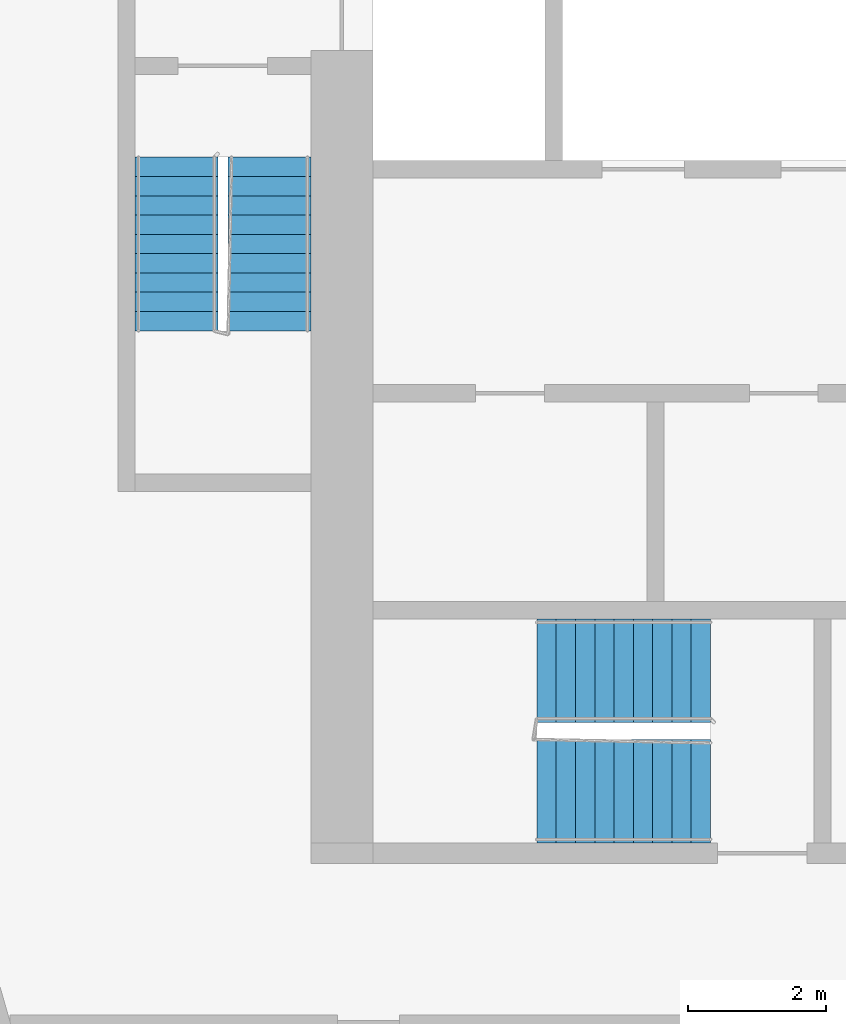
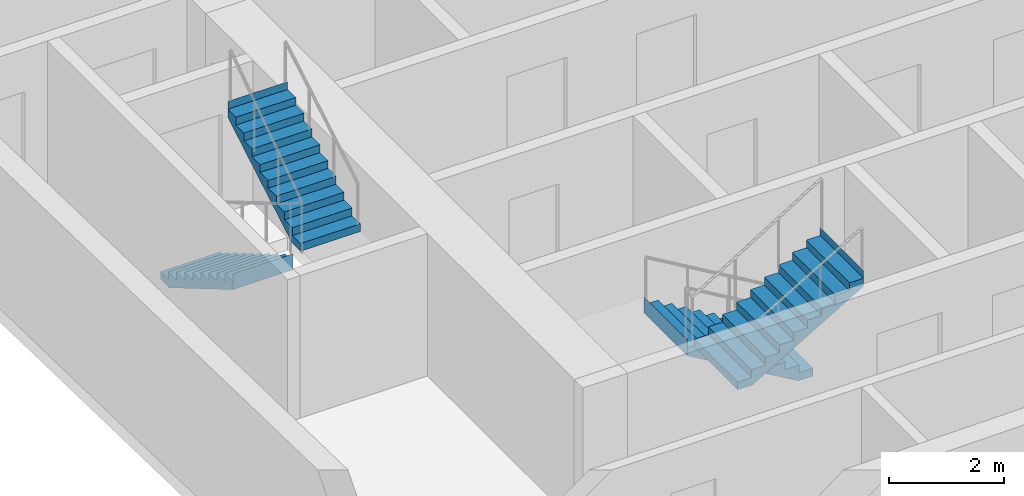
# One storey, part 8 of 11: 4 stair flights, 2 elements without a shape of their own.
"""IFC4 building model written with IfcOpenShell, lengths in metres."""

from ifc_helpers import new_model, si_unit, direction, frame, origin, place, context, subcontext, project, spatial, faceted_brep, material, type_object, element, aggregate, save


model = new_model("IFC4")

# Units and contexts
model_context = context("Model", 3, precision=1e-05, world=origin(), true_north=direction((0.0, 1.0)))
body_context = subcontext(model_context, "Body", "Model", "MODEL_VIEW")
ifc_project = project(units=[si_unit("LENGTHUNIT", "METRE"), si_unit("AREAUNIT", "SQUARE_METRE"), si_unit("VOLUMEUNIT", "CUBIC_METRE"), si_unit("PLANEANGLEUNIT", "RADIAN"), si_unit("MASSUNIT", "GRAM", prefix="KILO")], contexts=[model_context])

# Site, building, storey
site_placement = place(None, origin())
site = spatial("IfcSite", under=ifc_project, at=site_placement, CompositionType="ELEMENT")
building_placement = place(site_placement, origin())
building = spatial("IfcBuilding", under=site, at=building_placement, Name="Kajstack Hotel Tower", CompositionType="ELEMENT")
storey_placement = place(building_placement, frame((0.0, 0.0, 224.300048828125)))
storey = spatial("IfcBuildingStorey", under=building, at=storey_placement, Name="L54", CompositionType="ELEMENT", Elevation=224.300048828125)

# Stair, stair flights
ifc_material = material(Name="Concrete C40/50", Category="concrete")
stair_type_1 = type_object("IfcStairType", Name="Exit stair 1200", PredefinedType="HALF_TURN_STAIR", material=ifc_material)
stair_1_placement = place(storey_placement, origin())
stair_1 = element("IfcStair", 1, at=stair_1_placement, inside=storey, type_object=stair_type_1, Name="L54 stair W1", PredefinedType="HALF_TURN_STAIR")
stair_flight_type_1 = type_object("IfcStairFlightType", Name="Exit stair flight 1200", PredefinedType="STRAIGHT", material=ifc_material)
stair_flight_1_placement = place(storey_placement, frame((-33.449951171875, -5.25, 0.0), z_axis=(0.0, 0.0, 1.0), x_axis=(0.0, -1.0, 0.0)))
stair_flight_1 = element("IfcStairFlight", 2, at=stair_flight_1_placement, type_object=stair_flight_type_1, Name="W1 flight 1", NumberOfRisers=10, NumberOfTreads=9, PredefinedType="STRAIGHT", RiserHeight=0.165, TreadLength=0.28, context=body_context, shape_type="Brep", body=[
    faceted_brep([(0.295654296875, -0.60009765625, 0.0), (2.5205078125, -0.60009765625, 1.31103515625), (2.5205078125, -0.60009765625, 1.64990234375), (2.52001953125, -0.60009765625, 1.64990234375), (2.52001953125, -0.60009765625, 1.485107421875), (2.239990234375, -0.60009765625, 1.485107421875), (2.239990234375, -0.60009765625, 1.320068359375), (1.9599609375, -0.60009765625, 1.320068359375), (1.9599609375, -0.60009765625, 1.155029296875), (1.679931640625, -0.60009765625, 1.155029296875), (1.679931640625, -0.60009765625, 0.989990234375), (1.39990234375, -0.60009765625, 0.989990234375), (1.39990234375, -0.60009765625, 0.824951171875), (1.1201171875, -0.60009765625, 0.824951171875), (1.1201171875, -0.60009765625, 0.659912109375), (0.840087890625, -0.60009765625, 0.659912109375), (0.840087890625, -0.60009765625, 0.4951171875), (0.56005859375, -0.60009765625, 0.4951171875), (0.56005859375, -0.60009765625, 0.330078125), (0.280029296875, -0.60009765625, 0.330078125), (0.280029296875, -0.60009765625, 0.1650390625), (-0.00048828125, -0.60009765625, 0.1650390625), (-0.00048828125, -0.60009765625, 0.0), (-0.00048828125, 0.60009765625, 0.0), (-0.00048828125, 0.60009765625, 0.1650390625), (0.280029296875, 0.60009765625, 0.1650390625), (0.280029296875, 0.60009765625, 0.330078125), (0.56005859375, 0.60009765625, 0.330078125), (0.56005859375, 0.60009765625, 0.4951171875), (0.840087890625, 0.60009765625, 0.4951171875), (0.840087890625, 0.60009765625, 0.659912109375), (1.1201171875, 0.60009765625, 0.659912109375), (1.1201171875, 0.60009765625, 0.824951171875), (1.39990234375, 0.60009765625, 0.824951171875), (1.39990234375, 0.60009765625, 0.989990234375), (1.679931640625, 0.60009765625, 0.989990234375), (1.679931640625, 0.60009765625, 1.155029296875), (1.9599609375, 0.60009765625, 1.155029296875), (1.9599609375, 0.60009765625, 1.320068359375), (2.239990234375, 0.60009765625, 1.320068359375), (2.239990234375, 0.60009765625, 1.485107421875), (2.52001953125, 0.60009765625, 1.485107421875), (2.52001953125, 0.60009765625, 1.64990234375), (2.5205078125, 0.60009765625, 1.64990234375), (2.5205078125, 0.60009765625, 1.31103515625), (0.295654296875, 0.60009765625, 0.0), (-0.00048828125, -0.300048828125, 0.1650390625), (-0.00048828125, 0.0, 0.1650390625), (-0.00048828125, 0.300048828125, 0.1650390625), (-0.00048828125, 0.300048828125, 0.0), (-0.00048828125, 0.0, 0.0), (-0.00048828125, -0.300048828125, 0.0), (0.280029296875, -0.300048828125, 0.1650390625), (0.280029296875, 0.0, 0.1650390625), (0.280029296875, 0.300048828125, 0.1650390625), (0.280029296875, -0.300048828125, 0.330078125), (0.280029296875, 0.0, 0.330078125), (0.280029296875, 0.300048828125, 0.330078125), (0.56005859375, -0.300048828125, 0.330078125), (0.56005859375, 0.0, 0.330078125), (0.56005859375, 0.300048828125, 0.330078125), (0.56005859375, -0.300048828125, 0.4951171875), (0.56005859375, 0.0, 0.4951171875), (0.56005859375, 0.300048828125, 0.4951171875), (0.840087890625, -0.300048828125, 0.4951171875), (0.840087890625, 0.0, 0.4951171875), (0.840087890625, 0.300048828125, 0.4951171875), (0.840087890625, -0.300048828125, 0.659912109375), (0.840087890625, 0.0, 0.659912109375), (0.840087890625, 0.300048828125, 0.659912109375), (1.1201171875, -0.300048828125, 0.659912109375), (1.1201171875, 0.0, 0.659912109375), (1.1201171875, 0.300048828125, 0.659912109375), (1.1201171875, -0.300048828125, 0.824951171875), (1.1201171875, 0.0, 0.824951171875), (1.1201171875, 0.300048828125, 0.824951171875), (1.39990234375, -0.300048828125, 0.824951171875), (1.39990234375, 0.0, 0.824951171875), (1.39990234375, 0.300048828125, 0.824951171875), (1.39990234375, -0.300048828125, 0.989990234375), (1.39990234375, 0.0, 0.989990234375), (1.39990234375, 0.300048828125, 0.989990234375), (1.679931640625, -0.300048828125, 0.989990234375), (1.679931640625, 0.0, 0.989990234375), (1.679931640625, 0.300048828125, 0.989990234375), (1.679931640625, -0.300048828125, 1.155029296875), (1.679931640625, 0.0, 1.155029296875), (1.679931640625, 0.300048828125, 1.155029296875), (1.9599609375, -0.300048828125, 1.155029296875), (1.9599609375, 0.0, 1.155029296875), (1.9599609375, 0.300048828125, 1.155029296875), (1.9599609375, -0.300048828125, 1.320068359375), (1.9599609375, 0.0, 1.320068359375), (1.9599609375, 0.300048828125, 1.320068359375), (2.239990234375, -0.300048828125, 1.320068359375), (2.239990234375, 0.0, 1.320068359375), (2.239990234375, 0.300048828125, 1.320068359375), (2.239990234375, -0.300048828125, 1.485107421875), (2.239990234375, 0.0, 1.485107421875), (2.239990234375, 0.300048828125, 1.485107421875), (2.52001953125, -0.300048828125, 1.485107421875), (2.52001953125, 0.0, 1.485107421875), (2.52001953125, 0.300048828125, 1.485107421875), (2.52001953125, -0.300048828125, 1.64990234375), (2.52001953125, 0.0, 1.64990234375), (2.52001953125, 0.300048828125, 1.64990234375), (2.5205078125, -0.300048828125, 1.64990234375), (2.5205078125, 0.0, 1.64990234375), (2.5205078125, 0.300048828125, 1.64990234375), (2.5205078125, -0.300048828125, 1.31103515625), (2.5205078125, 0.0, 1.31103515625), (2.5205078125, 0.300048828125, 1.31103515625), (0.295654296875, -0.300048828125, 0.0), (0.295654296875, 0.0, 0.0), (0.295654296875, 0.300048828125, 0.0)], [[[0, 1, 2, 3, 4, 5, 6, 7, 8, 9, 10, 11, 12, 13, 14, 15, 16, 17, 18, 19, 20, 21, 22]], [[23, 24, 25, 26, 27, 28, 29, 30, 31, 32, 33, 34, 35, 36, 37, 38, 39, 40, 41, 42, 43, 44, 45]], [[21, 46, 47, 48, 24, 23, 49, 50, 51, 22]], [[20, 52, 53, 54, 25, 24, 48, 47, 46, 21]], [[19, 55, 56, 57, 26, 25, 54, 53, 52, 20]], [[18, 58, 59, 60, 27, 26, 57, 56, 55, 19]], [[17, 61, 62, 63, 28, 27, 60, 59, 58, 18]], [[16, 64, 65, 66, 29, 28, 63, 62, 61, 17]], [[15, 67, 68, 69, 30, 29, 66, 65, 64, 16]], [[14, 70, 71, 72, 31, 30, 69, 68, 67, 15]], [[13, 73, 74, 75, 32, 31, 72, 71, 70, 14]], [[12, 76, 77, 78, 33, 32, 75, 74, 73, 13]], [[11, 79, 80, 81, 34, 33, 78, 77, 76, 12]], [[10, 82, 83, 84, 35, 34, 81, 80, 79, 11]], [[9, 85, 86, 87, 36, 35, 84, 83, 82, 10]], [[8, 88, 89, 90, 37, 36, 87, 86, 85, 9]], [[7, 91, 92, 93, 38, 37, 90, 89, 88, 8]], [[6, 94, 95, 96, 39, 38, 93, 92, 91, 7]], [[5, 97, 98, 99, 40, 39, 96, 95, 94, 6]], [[4, 100, 101, 102, 41, 40, 99, 98, 97, 5]], [[3, 103, 104, 105, 42, 41, 102, 101, 100, 4]], [[2, 106, 107, 108, 43, 42, 105, 104, 103, 3]], [[1, 109, 110, 111, 44, 43, 108, 107, 106, 2]], [[0, 112, 113, 114, 45, 44, 111, 110, 109, 1]], [[22, 51, 50, 49, 23, 45, 114, 113, 112, 0]]]),
])
stair_flight_2_placement = place(storey_placement, frame((-32.10009765625, -7.77001953125, 1.64990234375), z_axis=(0.0, 0.0, 1.0), x_axis=(0.0, 1.0, 0.0)))
stair_flight_2 = element("IfcStairFlight", 3, at=stair_flight_2_placement, type_object=stair_flight_type_1, Name="W1 flight 2", NumberOfRisers=10, NumberOfTreads=9, PredefinedType="STRAIGHT", RiserHeight=0.165, TreadLength=0.28, context=body_context, shape_type="Brep", body=[
    faceted_brep([(0.295654296875, -0.60009765625, 0.0), (2.5205078125, -0.60009765625, 1.31103515625), (2.5205078125, -0.60009765625, 1.64990234375), (2.52001953125, -0.60009765625, 1.64990234375), (2.52001953125, -0.60009765625, 1.485107421875), (2.239990234375, -0.60009765625, 1.485107421875), (2.239990234375, -0.60009765625, 1.320068359375), (1.9599609375, -0.60009765625, 1.320068359375), (1.9599609375, -0.60009765625, 1.155029296875), (1.679931640625, -0.60009765625, 1.155029296875), (1.679931640625, -0.60009765625, 0.989990234375), (1.39990234375, -0.60009765625, 0.989990234375), (1.39990234375, -0.60009765625, 0.824951171875), (1.1201171875, -0.60009765625, 0.824951171875), (1.1201171875, -0.60009765625, 0.659912109375), (0.840087890625, -0.60009765625, 0.659912109375), (0.840087890625, -0.60009765625, 0.4951171875), (0.56005859375, -0.60009765625, 0.4951171875), (0.56005859375, -0.60009765625, 0.330078125), (0.280029296875, -0.60009765625, 0.330078125), (0.280029296875, -0.60009765625, 0.1650390625), (-0.00048828125, -0.60009765625, 0.1650390625), (-0.00048828125, -0.60009765625, 0.0), (-0.00048828125, 0.60009765625, 0.0), (-0.00048828125, 0.60009765625, 0.1650390625), (0.280029296875, 0.60009765625, 0.1650390625), (0.280029296875, 0.60009765625, 0.330078125), (0.56005859375, 0.60009765625, 0.330078125), (0.56005859375, 0.60009765625, 0.4951171875), (0.840087890625, 0.60009765625, 0.4951171875), (0.840087890625, 0.60009765625, 0.659912109375), (1.1201171875, 0.60009765625, 0.659912109375), (1.1201171875, 0.60009765625, 0.824951171875), (1.39990234375, 0.60009765625, 0.824951171875), (1.39990234375, 0.60009765625, 0.989990234375), (1.679931640625, 0.60009765625, 0.989990234375), (1.679931640625, 0.60009765625, 1.155029296875), (1.9599609375, 0.60009765625, 1.155029296875), (1.9599609375, 0.60009765625, 1.320068359375), (2.239990234375, 0.60009765625, 1.320068359375), (2.239990234375, 0.60009765625, 1.485107421875), (2.52001953125, 0.60009765625, 1.485107421875), (2.52001953125, 0.60009765625, 1.64990234375), (2.5205078125, 0.60009765625, 1.64990234375), (2.5205078125, 0.60009765625, 1.31103515625), (0.295654296875, 0.60009765625, 0.0), (-0.00048828125, -0.300048828125, 0.1650390625), (-0.00048828125, 0.0, 0.1650390625), (-0.00048828125, 0.300048828125, 0.1650390625), (-0.00048828125, 0.300048828125, 0.0), (-0.00048828125, 0.0, 0.0), (-0.00048828125, -0.300048828125, 0.0), (0.280029296875, -0.300048828125, 0.1650390625), (0.280029296875, 0.0, 0.1650390625), (0.280029296875, 0.300048828125, 0.1650390625), (0.280029296875, -0.300048828125, 0.330078125), (0.280029296875, 0.0, 0.330078125), (0.280029296875, 0.300048828125, 0.330078125), (0.56005859375, -0.300048828125, 0.330078125), (0.56005859375, 0.0, 0.330078125), (0.56005859375, 0.300048828125, 0.330078125), (0.56005859375, -0.300048828125, 0.4951171875), (0.56005859375, 0.0, 0.4951171875), (0.56005859375, 0.300048828125, 0.4951171875), (0.840087890625, -0.300048828125, 0.4951171875), (0.840087890625, 0.0, 0.4951171875), (0.840087890625, 0.300048828125, 0.4951171875), (0.840087890625, -0.300048828125, 0.659912109375), (0.840087890625, 0.0, 0.659912109375), (0.840087890625, 0.300048828125, 0.659912109375), (1.1201171875, -0.300048828125, 0.659912109375), (1.1201171875, 0.0, 0.659912109375), (1.1201171875, 0.300048828125, 0.659912109375), (1.1201171875, -0.300048828125, 0.824951171875), (1.1201171875, 0.0, 0.824951171875), (1.1201171875, 0.300048828125, 0.824951171875), (1.39990234375, -0.300048828125, 0.824951171875), (1.39990234375, 0.0, 0.824951171875), (1.39990234375, 0.300048828125, 0.824951171875), (1.39990234375, -0.300048828125, 0.989990234375), (1.39990234375, 0.0, 0.989990234375), (1.39990234375, 0.300048828125, 0.989990234375), (1.679931640625, -0.300048828125, 0.989990234375), (1.679931640625, 0.0, 0.989990234375), (1.679931640625, 0.300048828125, 0.989990234375), (1.679931640625, -0.300048828125, 1.155029296875), (1.679931640625, 0.0, 1.155029296875), (1.679931640625, 0.300048828125, 1.155029296875), (1.9599609375, -0.300048828125, 1.155029296875), (1.9599609375, 0.0, 1.155029296875), (1.9599609375, 0.300048828125, 1.155029296875), (1.9599609375, -0.300048828125, 1.320068359375), (1.9599609375, 0.0, 1.320068359375), (1.9599609375, 0.300048828125, 1.320068359375), (2.239990234375, -0.300048828125, 1.320068359375), (2.239990234375, 0.0, 1.320068359375), (2.239990234375, 0.300048828125, 1.320068359375), (2.239990234375, -0.300048828125, 1.485107421875), (2.239990234375, 0.0, 1.485107421875), (2.239990234375, 0.300048828125, 1.485107421875), (2.52001953125, -0.300048828125, 1.485107421875), (2.52001953125, 0.0, 1.485107421875), (2.52001953125, 0.300048828125, 1.485107421875), (2.52001953125, -0.300048828125, 1.64990234375), (2.52001953125, 0.0, 1.64990234375), (2.52001953125, 0.300048828125, 1.64990234375), (2.5205078125, -0.300048828125, 1.64990234375), (2.5205078125, 0.0, 1.64990234375), (2.5205078125, 0.300048828125, 1.64990234375), (2.5205078125, -0.300048828125, 1.31103515625), (2.5205078125, 0.0, 1.31103515625), (2.5205078125, 0.300048828125, 1.31103515625), (0.295654296875, -0.300048828125, 0.0), (0.295654296875, 0.0, 0.0), (0.295654296875, 0.300048828125, 0.0)], [[[0, 1, 2, 3, 4, 5, 6, 7, 8, 9, 10, 11, 12, 13, 14, 15, 16, 17, 18, 19, 20, 21, 22]], [[23, 24, 25, 26, 27, 28, 29, 30, 31, 32, 33, 34, 35, 36, 37, 38, 39, 40, 41, 42, 43, 44, 45]], [[21, 46, 47, 48, 24, 23, 49, 50, 51, 22]], [[20, 52, 53, 54, 25, 24, 48, 47, 46, 21]], [[19, 55, 56, 57, 26, 25, 54, 53, 52, 20]], [[18, 58, 59, 60, 27, 26, 57, 56, 55, 19]], [[17, 61, 62, 63, 28, 27, 60, 59, 58, 18]], [[16, 64, 65, 66, 29, 28, 63, 62, 61, 17]], [[15, 67, 68, 69, 30, 29, 66, 65, 64, 16]], [[14, 70, 71, 72, 31, 30, 69, 68, 67, 15]], [[13, 73, 74, 75, 32, 31, 72, 71, 70, 14]], [[12, 76, 77, 78, 33, 32, 75, 74, 73, 13]], [[11, 79, 80, 81, 34, 33, 78, 77, 76, 12]], [[10, 82, 83, 84, 35, 34, 81, 80, 79, 11]], [[9, 85, 86, 87, 36, 35, 84, 83, 82, 10]], [[8, 88, 89, 90, 37, 36, 87, 86, 85, 9]], [[7, 91, 92, 93, 38, 37, 90, 89, 88, 8]], [[6, 94, 95, 96, 39, 38, 93, 92, 91, 7]], [[5, 97, 98, 99, 40, 39, 96, 95, 94, 6]], [[4, 100, 101, 102, 41, 40, 99, 98, 97, 5]], [[3, 103, 104, 105, 42, 41, 102, 101, 100, 4]], [[2, 106, 107, 108, 43, 42, 105, 104, 103, 3]], [[1, 109, 110, 111, 44, 43, 108, 107, 106, 2]], [[0, 112, 113, 114, 45, 44, 111, 110, 109, 1]], [[22, 51, 50, 49, 23, 45, 114, 113, 112, 0]]]),
])
aggregate(stair_1, [stair_flight_1, stair_flight_2])

stair_type_2 = type_object("IfcStairType", Name="Exit stair 1500", PredefinedType="HALF_TURN_STAIR", material=ifc_material)
stair_2_placement = place(storey_placement, origin())
stair_2 = element("IfcStair", 4, at=stair_2_placement, inside=storey, type_object=stair_type_2, Name="L54 stair W3", PredefinedType="HALF_TURN_STAIR")
stair_flight_type_2 = type_object("IfcStairFlightType", Name="Exit stair flight 1500", PredefinedType="STRAIGHT", material=ifc_material)
stair_flight_3_placement = place(storey_placement, frame((-25.699951171875, -12.699951171875, 0.0), z_axis=(0.0, 0.0, 1.0), x_axis=(-1.0, 0.0, 0.0)))
stair_flight_3 = element("IfcStairFlight", 5, at=stair_flight_3_placement, type_object=stair_flight_type_2, Name="W3 flight 1", NumberOfRisers=10, NumberOfTreads=9, PredefinedType="STRAIGHT", RiserHeight=0.165, TreadLength=0.28, context=body_context, shape_type="Brep", body=[
    faceted_brep([(0.295654296875, -0.75, 0.0), (2.5205078125, -0.75, 1.31103515625), (2.5205078125, -0.75, 1.64990234375), (2.52001953125, -0.75, 1.64990234375), (2.52001953125, -0.75, 1.485107421875), (2.239990234375, -0.75, 1.485107421875), (2.239990234375, -0.75, 1.320068359375), (1.9599609375, -0.75, 1.320068359375), (1.9599609375, -0.75, 1.155029296875), (1.679931640625, -0.75, 1.155029296875), (1.679931640625, -0.75, 0.989990234375), (1.39990234375, -0.75, 0.989990234375), (1.39990234375, -0.75, 0.824951171875), (1.1201171875, -0.75, 0.824951171875), (1.1201171875, -0.75, 0.659912109375), (0.840087890625, -0.75, 0.659912109375), (0.840087890625, -0.75, 0.4951171875), (0.56005859375, -0.75, 0.4951171875), (0.56005859375, -0.75, 0.330078125), (0.280029296875, -0.75, 0.330078125), (0.280029296875, -0.75, 0.1650390625), (-0.00048828125, -0.75, 0.1650390625), (-0.00048828125, -0.75, 0.0), (-0.00048828125, 0.75, 0.0), (-0.00048828125, 0.75, 0.1650390625), (0.280029296875, 0.75, 0.1650390625), (0.280029296875, 0.75, 0.330078125), (0.56005859375, 0.75, 0.330078125), (0.56005859375, 0.75, 0.4951171875), (0.840087890625, 0.75, 0.4951171875), (0.840087890625, 0.75, 0.659912109375), (1.1201171875, 0.75, 0.659912109375), (1.1201171875, 0.75, 0.824951171875), (1.39990234375, 0.75, 0.824951171875), (1.39990234375, 0.75, 0.989990234375), (1.679931640625, 0.75, 0.989990234375), (1.679931640625, 0.75, 1.155029296875), (1.9599609375, 0.75, 1.155029296875), (1.9599609375, 0.75, 1.320068359375), (2.239990234375, 0.75, 1.320068359375), (2.239990234375, 0.75, 1.485107421875), (2.52001953125, 0.75, 1.485107421875), (2.52001953125, 0.75, 1.64990234375), (2.5205078125, 0.75, 1.64990234375), (2.5205078125, 0.75, 1.31103515625), (0.295654296875, 0.75, 0.0), (-0.00048828125, -0.375, 0.1650390625), (-0.00048828125, 0.0, 0.1650390625), (-0.00048828125, 0.375, 0.1650390625), (-0.00048828125, 0.375, 0.0), (-0.00048828125, 0.0, 0.0), (-0.00048828125, -0.375, 0.0), (0.280029296875, -0.375, 0.1650390625), (0.280029296875, 0.0, 0.1650390625), (0.280029296875, 0.375, 0.1650390625), (0.280029296875, -0.375, 0.330078125), (0.280029296875, 0.0, 0.330078125), (0.280029296875, 0.375, 0.330078125), (0.56005859375, -0.375, 0.330078125), (0.56005859375, 0.0, 0.330078125), (0.56005859375, 0.375, 0.330078125), (0.56005859375, -0.375, 0.4951171875), (0.56005859375, 0.0, 0.4951171875), (0.56005859375, 0.375, 0.4951171875), (0.840087890625, -0.375, 0.4951171875), (0.840087890625, 0.0, 0.4951171875), (0.840087890625, 0.375, 0.4951171875), (0.840087890625, -0.375, 0.659912109375), (0.840087890625, 0.0, 0.659912109375), (0.840087890625, 0.375, 0.659912109375), (1.1201171875, -0.375, 0.659912109375), (1.1201171875, 0.0, 0.659912109375), (1.1201171875, 0.375, 0.659912109375), (1.1201171875, -0.375, 0.824951171875), (1.1201171875, 0.0, 0.824951171875), (1.1201171875, 0.375, 0.824951171875), (1.39990234375, -0.375, 0.824951171875), (1.39990234375, 0.0, 0.824951171875), (1.39990234375, 0.375, 0.824951171875), (1.39990234375, -0.375, 0.989990234375), (1.39990234375, 0.0, 0.989990234375), (1.39990234375, 0.375, 0.989990234375), (1.679931640625, -0.375, 0.989990234375), (1.679931640625, 0.0, 0.989990234375), (1.679931640625, 0.375, 0.989990234375), (1.679931640625, -0.375, 1.155029296875), (1.679931640625, 0.0, 1.155029296875), (1.679931640625, 0.375, 1.155029296875), (1.9599609375, -0.375, 1.155029296875), (1.9599609375, 0.0, 1.155029296875), (1.9599609375, 0.375, 1.155029296875), (1.9599609375, -0.375, 1.320068359375), (1.9599609375, 0.0, 1.320068359375), (1.9599609375, 0.375, 1.320068359375), (2.239990234375, -0.375, 1.320068359375), (2.239990234375, 0.0, 1.320068359375), (2.239990234375, 0.375, 1.320068359375), (2.239990234375, -0.375, 1.485107421875), (2.239990234375, 0.0, 1.485107421875), (2.239990234375, 0.375, 1.485107421875), (2.52001953125, -0.375, 1.485107421875), (2.52001953125, 0.0, 1.485107421875), (2.52001953125, 0.375, 1.485107421875), (2.52001953125, -0.375, 1.64990234375), (2.52001953125, 0.0, 1.64990234375), (2.52001953125, 0.375, 1.64990234375), (2.5205078125, -0.375, 1.64990234375), (2.5205078125, 0.0, 1.64990234375), (2.5205078125, 0.375, 1.64990234375), (2.5205078125, -0.375, 1.31103515625), (2.5205078125, 0.0, 1.31103515625), (2.5205078125, 0.375, 1.31103515625), (0.295654296875, -0.375, 0.0), (0.295654296875, 0.0, 0.0), (0.295654296875, 0.375, 0.0)], [[[0, 1, 2, 3, 4, 5, 6, 7, 8, 9, 10, 11, 12, 13, 14, 15, 16, 17, 18, 19, 20, 21, 22]], [[23, 24, 25, 26, 27, 28, 29, 30, 31, 32, 33, 34, 35, 36, 37, 38, 39, 40, 41, 42, 43, 44, 45]], [[21, 46, 47, 48, 24, 23, 49, 50, 51, 22]], [[20, 52, 53, 54, 25, 24, 48, 47, 46, 21]], [[19, 55, 56, 57, 26, 25, 54, 53, 52, 20]], [[18, 58, 59, 60, 27, 26, 57, 56, 55, 19]], [[17, 61, 62, 63, 28, 27, 60, 59, 58, 18]], [[16, 64, 65, 66, 29, 28, 63, 62, 61, 17]], [[15, 67, 68, 69, 30, 29, 66, 65, 64, 16]], [[14, 70, 71, 72, 31, 30, 69, 68, 67, 15]], [[13, 73, 74, 75, 32, 31, 72, 71, 70, 14]], [[12, 76, 77, 78, 33, 32, 75, 74, 73, 13]], [[11, 79, 80, 81, 34, 33, 78, 77, 76, 12]], [[10, 82, 83, 84, 35, 34, 81, 80, 79, 11]], [[9, 85, 86, 87, 36, 35, 84, 83, 82, 10]], [[8, 88, 89, 90, 37, 36, 87, 86, 85, 9]], [[7, 91, 92, 93, 38, 37, 90, 89, 88, 8]], [[6, 94, 95, 96, 39, 38, 93, 92, 91, 7]], [[5, 97, 98, 99, 40, 39, 96, 95, 94, 6]], [[4, 100, 101, 102, 41, 40, 99, 98, 97, 5]], [[3, 103, 104, 105, 42, 41, 102, 101, 100, 4]], [[2, 106, 107, 108, 43, 42, 105, 104, 103, 3]], [[1, 109, 110, 111, 44, 43, 108, 107, 106, 2]], [[0, 112, 113, 114, 45, 44, 111, 110, 109, 1]], [[22, 51, 50, 49, 23, 45, 114, 113, 112, 0]]]),
])
stair_flight_4_placement = place(storey_placement, frame((-28.219970703125, -14.449951171875, 1.64990234375), z_axis=(0.0, 0.0, 1.0), x_axis=(1.0, 0.0, 0.0)))
stair_flight_4 = element("IfcStairFlight", 6, at=stair_flight_4_placement, type_object=stair_flight_type_2, Name="W3 flight 2", NumberOfRisers=10, NumberOfTreads=9, PredefinedType="STRAIGHT", RiserHeight=0.165, TreadLength=0.28, context=body_context, shape_type="Brep", body=[
    faceted_brep([(0.295654296875, -0.75, 0.0), (2.5205078125, -0.75, 1.31103515625), (2.5205078125, -0.75, 1.64990234375), (2.52001953125, -0.75, 1.64990234375), (2.52001953125, -0.75, 1.485107421875), (2.239990234375, -0.75, 1.485107421875), (2.239990234375, -0.75, 1.320068359375), (1.9599609375, -0.75, 1.320068359375), (1.9599609375, -0.75, 1.155029296875), (1.679931640625, -0.75, 1.155029296875), (1.679931640625, -0.75, 0.989990234375), (1.39990234375, -0.75, 0.989990234375), (1.39990234375, -0.75, 0.824951171875), (1.1201171875, -0.75, 0.824951171875), (1.1201171875, -0.75, 0.659912109375), (0.840087890625, -0.75, 0.659912109375), (0.840087890625, -0.75, 0.4951171875), (0.56005859375, -0.75, 0.4951171875), (0.56005859375, -0.75, 0.330078125), (0.280029296875, -0.75, 0.330078125), (0.280029296875, -0.75, 0.1650390625), (-0.00048828125, -0.75, 0.1650390625), (-0.00048828125, -0.75, 0.0), (-0.00048828125, 0.75, 0.0), (-0.00048828125, 0.75, 0.1650390625), (0.280029296875, 0.75, 0.1650390625), (0.280029296875, 0.75, 0.330078125), (0.56005859375, 0.75, 0.330078125), (0.56005859375, 0.75, 0.4951171875), (0.840087890625, 0.75, 0.4951171875), (0.840087890625, 0.75, 0.659912109375), (1.1201171875, 0.75, 0.659912109375), (1.1201171875, 0.75, 0.824951171875), (1.39990234375, 0.75, 0.824951171875), (1.39990234375, 0.75, 0.989990234375), (1.679931640625, 0.75, 0.989990234375), (1.679931640625, 0.75, 1.155029296875), (1.9599609375, 0.75, 1.155029296875), (1.9599609375, 0.75, 1.320068359375), (2.239990234375, 0.75, 1.320068359375), (2.239990234375, 0.75, 1.485107421875), (2.52001953125, 0.75, 1.485107421875), (2.52001953125, 0.75, 1.64990234375), (2.5205078125, 0.75, 1.64990234375), (2.5205078125, 0.75, 1.31103515625), (0.295654296875, 0.75, 0.0), (-0.00048828125, -0.375, 0.1650390625), (-0.00048828125, 0.0, 0.1650390625), (-0.00048828125, 0.375, 0.1650390625), (-0.00048828125, 0.375, 0.0), (-0.00048828125, 0.0, 0.0), (-0.00048828125, -0.375, 0.0), (0.280029296875, -0.375, 0.1650390625), (0.280029296875, 0.0, 0.1650390625), (0.280029296875, 0.375, 0.1650390625), (0.280029296875, -0.375, 0.330078125), (0.280029296875, 0.0, 0.330078125), (0.280029296875, 0.375, 0.330078125), (0.56005859375, -0.375, 0.330078125), (0.56005859375, 0.0, 0.330078125), (0.56005859375, 0.375, 0.330078125), (0.56005859375, -0.375, 0.4951171875), (0.56005859375, 0.0, 0.4951171875), (0.56005859375, 0.375, 0.4951171875), (0.840087890625, -0.375, 0.4951171875), (0.840087890625, 0.0, 0.4951171875), (0.840087890625, 0.375, 0.4951171875), (0.840087890625, -0.375, 0.659912109375), (0.840087890625, 0.0, 0.659912109375), (0.840087890625, 0.375, 0.659912109375), (1.1201171875, -0.375, 0.659912109375), (1.1201171875, 0.0, 0.659912109375), (1.1201171875, 0.375, 0.659912109375), (1.1201171875, -0.375, 0.824951171875), (1.1201171875, 0.0, 0.824951171875), (1.1201171875, 0.375, 0.824951171875), (1.39990234375, -0.375, 0.824951171875), (1.39990234375, 0.0, 0.824951171875), (1.39990234375, 0.375, 0.824951171875), (1.39990234375, -0.375, 0.989990234375), (1.39990234375, 0.0, 0.989990234375), (1.39990234375, 0.375, 0.989990234375), (1.679931640625, -0.375, 0.989990234375), (1.679931640625, 0.0, 0.989990234375), (1.679931640625, 0.375, 0.989990234375), (1.679931640625, -0.375, 1.155029296875), (1.679931640625, 0.0, 1.155029296875), (1.679931640625, 0.375, 1.155029296875), (1.9599609375, -0.375, 1.155029296875), (1.9599609375, 0.0, 1.155029296875), (1.9599609375, 0.375, 1.155029296875), (1.9599609375, -0.375, 1.320068359375), (1.9599609375, 0.0, 1.320068359375), (1.9599609375, 0.375, 1.320068359375), (2.239990234375, -0.375, 1.320068359375), (2.239990234375, 0.0, 1.320068359375), (2.239990234375, 0.375, 1.320068359375), (2.239990234375, -0.375, 1.485107421875), (2.239990234375, 0.0, 1.485107421875), (2.239990234375, 0.375, 1.485107421875), (2.52001953125, -0.375, 1.485107421875), (2.52001953125, 0.0, 1.485107421875), (2.52001953125, 0.375, 1.485107421875), (2.52001953125, -0.375, 1.64990234375), (2.52001953125, 0.0, 1.64990234375), (2.52001953125, 0.375, 1.64990234375), (2.5205078125, -0.375, 1.64990234375), (2.5205078125, 0.0, 1.64990234375), (2.5205078125, 0.375, 1.64990234375), (2.5205078125, -0.375, 1.31103515625), (2.5205078125, 0.0, 1.31103515625), (2.5205078125, 0.375, 1.31103515625), (0.295654296875, -0.375, 0.0), (0.295654296875, 0.0, 0.0), (0.295654296875, 0.375, 0.0)], [[[0, 1, 2, 3, 4, 5, 6, 7, 8, 9, 10, 11, 12, 13, 14, 15, 16, 17, 18, 19, 20, 21, 22]], [[23, 24, 25, 26, 27, 28, 29, 30, 31, 32, 33, 34, 35, 36, 37, 38, 39, 40, 41, 42, 43, 44, 45]], [[21, 46, 47, 48, 24, 23, 49, 50, 51, 22]], [[20, 52, 53, 54, 25, 24, 48, 47, 46, 21]], [[19, 55, 56, 57, 26, 25, 54, 53, 52, 20]], [[18, 58, 59, 60, 27, 26, 57, 56, 55, 19]], [[17, 61, 62, 63, 28, 27, 60, 59, 58, 18]], [[16, 64, 65, 66, 29, 28, 63, 62, 61, 17]], [[15, 67, 68, 69, 30, 29, 66, 65, 64, 16]], [[14, 70, 71, 72, 31, 30, 69, 68, 67, 15]], [[13, 73, 74, 75, 32, 31, 72, 71, 70, 14]], [[12, 76, 77, 78, 33, 32, 75, 74, 73, 13]], [[11, 79, 80, 81, 34, 33, 78, 77, 76, 12]], [[10, 82, 83, 84, 35, 34, 81, 80, 79, 11]], [[9, 85, 86, 87, 36, 35, 84, 83, 82, 10]], [[8, 88, 89, 90, 37, 36, 87, 86, 85, 9]], [[7, 91, 92, 93, 38, 37, 90, 89, 88, 8]], [[6, 94, 95, 96, 39, 38, 93, 92, 91, 7]], [[5, 97, 98, 99, 40, 39, 96, 95, 94, 6]], [[4, 100, 101, 102, 41, 40, 99, 98, 97, 5]], [[3, 103, 104, 105, 42, 41, 102, 101, 100, 4]], [[2, 106, 107, 108, 43, 42, 105, 104, 103, 3]], [[1, 109, 110, 111, 44, 43, 108, 107, 106, 2]], [[0, 112, 113, 114, 45, 44, 111, 110, 109, 1]], [[22, 51, 50, 49, 23, 45, 114, 113, 112, 0]]]),
])
aggregate(stair_2, [stair_flight_3, stair_flight_4])

save(model, "model.ifc")
